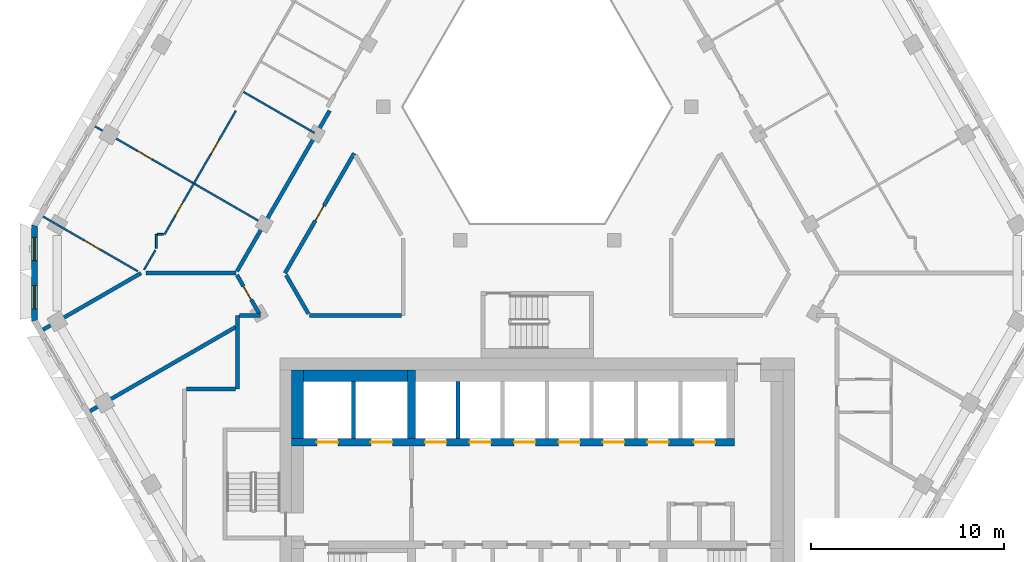
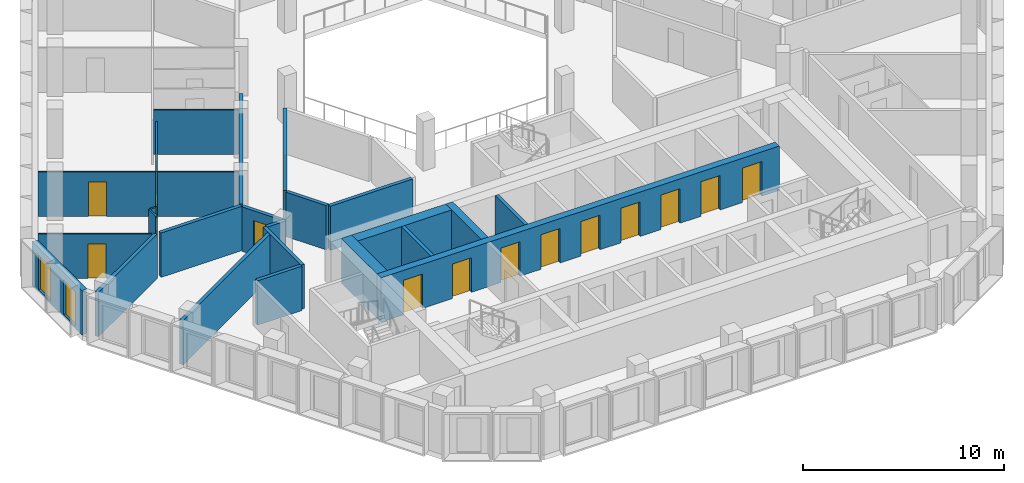
# One storey, part 4 of 17: 26 walls, 15 doors, 2 windows, 17 openings.
"""IFC4 building model written with IfcOpenShell, lengths in metres."""

from ifc_helpers import new_model, si_unit, direction, frame, frame_2d, origin, place, context, subcontext, project, spatial, polyline, rectangle, outline, extrude, material, layer, layer_set, type_object, element, fill, save


model = new_model("IFC4")

# Units and contexts
model_context = context("Model", 3, precision=1e-05, world=origin(), true_north=direction((0.0, 1.0)))
body_context = subcontext(model_context, "Body", "Model", "MODEL_VIEW")
ifc_project = project(units=[si_unit("LENGTHUNIT", "METRE"), si_unit("AREAUNIT", "SQUARE_METRE"), si_unit("VOLUMEUNIT", "CUBIC_METRE"), si_unit("PLANEANGLEUNIT", "RADIAN"), si_unit("MASSUNIT", "GRAM", prefix="KILO")], contexts=[model_context])

# Site, building, storey
site_placement = place(None, origin())
site = spatial("IfcSite", under=ifc_project, at=site_placement, CompositionType="ELEMENT")
building_placement = place(site_placement, origin())
building = spatial("IfcBuilding", under=site, at=building_placement, Name="Beryl Residences", CompositionType="ELEMENT")
storey_placement = place(building_placement, frame((0.0, 0.0, 172.199951171875)))
storey = spatial("IfcBuildingStorey", under=building, at=storey_placement, Name="L52", CompositionType="ELEMENT", Elevation=172.199951171875)

# Wall, openings, windows
ifc_material_1 = material(Name="Composite metal panel with mineral wool insulation")
ifc_layer_1 = layer(ifc_material_1, 0.300048828125)
ifc_layer_set_1 = layer_set([ifc_layer_1], Name="ES1 pale metal composite panel wall 300 mm")
wall_type_1 = type_object("IfcWallType", Name="ES1 pale metal composite panel wall 300 mm", PredefinedType="SOLIDWALL", material=ifc_layer_set_1)
wall_1_placement = place(storey_placement, frame((-26.00390625, 1.89990234375, 0.0), z_axis=(0.0, 0.0, 1.0), x_axis=(0.0, -1.0, 0.0)))
wall_1 = element("IfcWall", 1, at=wall_1_placement, inside=storey, type_object=wall_type_1, Name="ES1 external wall L52 NW-SW", PredefinedType="SOLIDWALL", context=body_context, shape_type="SweptSolid", body=[
    extrude(outline(polyline([(0.0, -0.14990234375), (5.0, -0.14990234375), (4.919677734375, 0.14990234375), (0.080322265625, 0.14990234375), (0.0, -0.14990234375)])), origin(), (0.0, 0.0, 1.0), 2.699951171875),
])
opening_1_placement = place(wall_1_placement, frame((0.64990234375, 0.0, 0.14990234375)))
opening_1 = element("IfcOpeningElement", 2, at=opening_1_placement, cuts=wall_1, Name="Opening W2", PredefinedType="OPENING", context=body_context, shape_type="SweptSolid", body=[
    extrude(rectangle(XDim=1.199951171875, YDim=2.10009765625, at=frame_2d((0.60009765625, 1.050048828125))), frame((0.0, 0.159912109375, 0.0), z_axis=(0.0, -1.0, 0.0), x_axis=(1.0, 0.0, 0.0)), (0.0, 0.0, 1.0), 0.320068359375),
])
opening_2_placement = place(wall_1_placement, frame((3.14990234375, 0.0, 0.14990234375)))
opening_2 = element("IfcOpeningElement", 3, at=opening_2_placement, cuts=wall_1, Name="Opening W2", PredefinedType="OPENING", context=body_context, shape_type="SweptSolid", body=[
    extrude(rectangle(XDim=1.199951171875, YDim=2.10009765625, at=frame_2d((0.60009765625, 1.050048828125))), frame((0.0, 0.159912109375, 0.0), z_axis=(0.0, -1.0, 0.0), x_axis=(1.0, 0.0, 0.0)), (0.0, 0.0, 1.0), 0.320068359375),
])
ifc_material_2 = material(Name="Aluminium and clear glass", Category="aluminium")
window_type = type_object("IfcWindowType", Name="W2 chamfer window 1200 x 2100 mm", PartitioningType="SINGLE_PANEL", PredefinedType="WINDOW", material=ifc_material_2)
window_1_placement = place(opening_1_placement, origin())
window_1 = element("IfcWindow", 4, at=window_1_placement, inside=storey, type_object=window_type, Name="W2 window L52 NW-SW 1", OverallHeight=2.10009765625, OverallWidth=1.199951171875, PartitioningType="SINGLE_PANEL", PredefinedType="WINDOW", context=body_context, shape_type="SweptSolid", body=[
    extrude(rectangle(XDim=1.199951171875, YDim=2.10009765625, at=frame_2d((0.60009765625, 1.050048828125))), frame((0.0, 0.030029296875, 0.0), z_axis=(0.0, -1.0, 0.0), x_axis=(1.0, 0.0, 0.0)), (0.0, 0.0, 1.0), 0.06005859375),
])
fill(opening_1, window_1)
window_2_placement = place(opening_2_placement, origin())
window_2 = element("IfcWindow", 5, at=window_2_placement, inside=storey, type_object=window_type, Name="W2 window L52 NW-SW 2", OverallHeight=2.10009765625, OverallWidth=1.199951171875, PartitioningType="SINGLE_PANEL", PredefinedType="WINDOW", context=body_context, shape_type="SweptSolid", body=[
    extrude(rectangle(XDim=1.199951171875, YDim=2.10009765625, at=frame_2d((0.60009765625, 1.050048828125))), frame((0.0, 0.030029296875, 0.0), z_axis=(0.0, -1.0, 0.0), x_axis=(1.0, 0.0, 0.0)), (0.0, 0.0, 1.0), 0.06005859375),
])
fill(opening_2, window_2)

# Wall, opening, door
ifc_material_3 = material(Name="Gypsum board partition on steel studs", Category="steel")
ifc_layer_2 = layer(ifc_material_3, 0.10009765625)
ifc_layer_set_2 = layer_set([ifc_layer_2], Name="PT1 partition 100 mm gypsum board on steel studs")
wall_type_2 = type_object("IfcWallType", Name="PT1 partition 100 mm gypsum board on steel studs", PredefinedType="PARTITIONING", material=ifc_layer_set_2)
wall_2_placement = place(storey_placement, frame((-22.8701171875, 6.987060546875, 0.0), z_axis=(0.0, 0.0, 1.0), x_axis=(0.866022959057, -0.500004234368, 0.0)))
wall_2 = element("IfcWall", 6, at=wall_2_placement, inside=storey, type_object=wall_type_2, Name="Wall PT1 L52 009", PredefinedType="PARTITIONING", context=body_context, shape_type="SweptSolid", body=[
    extrude(rectangle(XDim=10.0, YDim=0.10009765625, at=frame_2d((5.0, 0.0))), origin(), (0.0, 0.0, 1.0), 2.699951171875),
])
opening_3_placement = place(wall_2_placement, frame((2.5, 0.0, 0.0)))
opening_3 = element("IfcOpeningElement", 7, at=opening_3_placement, cuts=wall_2, Name="Opening D1412", PredefinedType="OPENING", context=body_context, shape_type="SweptSolid", body=[
    extrude(rectangle(XDim=0.89990234375, YDim=2.10009765625, at=frame_2d((0.449951171875, 1.050048828125))), frame((0.0, 0.06005859375, 0.0), z_axis=(0.0, -1.0, 0.0), x_axis=(1.0, 0.0, 0.0)), (0.0, 0.0, 1.0), 0.1201171875),
])
ifc_material_4 = material(Name="Timber door leaf", Category="wood")
door_type_1 = type_object("IfcDoorType", Name="D2 room door 900 x 2100 mm", OperationType="SINGLE_SWING_LEFT", PredefinedType="DOOR", material=ifc_material_4)
door_1_placement = place(opening_3_placement, origin())
door_1 = element("IfcDoor", 8, at=door_1_placement, inside=storey, type_object=door_type_1, Name="Door D1412 L52 001", OperationType="SINGLE_SWING_RIGHT", OverallHeight=2.10009765625, OverallWidth=0.89990234375, PredefinedType="DOOR", context=body_context, shape_type="SweptSolid", body=[
    extrude(rectangle(XDim=0.89990234375, YDim=2.10009765625, at=frame_2d((0.449951171875, 1.050048828125))), frame((0.0, 0.02490234375, 0.0), z_axis=(0.0, -1.0, 0.0), x_axis=(1.0, 0.0, 0.0)), (0.0, 0.0, 1.0), 0.050048828125),
])
fill(opening_3, door_1)

wall_3_placement = place(storey_placement, frame((-25.56201171875, 2.324951171875, 0.0), z_axis=(0.0, 0.0, 1.0), x_axis=(0.865998530728, -0.500046542611, 0.0)))
wall_3 = element("IfcWall", 9, at=wall_3_placement, inside=storey, type_object=wall_type_2, Name="Wall PT1 L52 010", PredefinedType="PARTITIONING", context=body_context, shape_type="SweptSolid", body=[
    extrude(rectangle(XDim=5.6513671875, YDim=0.10009765625, at=frame_2d((2.82568359375, 0.0))), origin(), (0.0, 0.0, 1.0), 2.699951171875),
])
opening_4_placement = place(wall_3_placement, frame((2.47607421875, 0.0, 0.0)))
opening_4 = element("IfcOpeningElement", 10, at=opening_4_placement, cuts=wall_3, Name="Opening D1415", PredefinedType="OPENING", context=body_context, shape_type="SweptSolid", body=[
    extrude(rectangle(XDim=0.89990234375, YDim=2.10009765625, at=frame_2d((0.449951171875, 1.050048828125))), frame((0.0, 0.06005859375, 0.0), z_axis=(0.0, -1.0, 0.0), x_axis=(1.0, 0.0, 0.0)), (0.0, 0.0, 1.0), 0.1201171875),
])
door_2_placement = place(opening_4_placement, origin())
door_2 = element("IfcDoor", 11, at=door_2_placement, inside=storey, type_object=door_type_1, Name="Door D1415 L52 001", OperationType="SINGLE_SWING_LEFT", OverallHeight=2.10009765625, OverallWidth=0.89990234375, PredefinedType="DOOR", context=body_context, shape_type="SweptSolid", body=[
    extrude(rectangle(XDim=0.89990234375, YDim=2.10009765625, at=frame_2d((0.449951171875, 1.050048828125))), frame((0.0, 0.02490234375, 0.0), z_axis=(0.0, -1.0, 0.0), x_axis=(1.0, 0.0, 0.0)), (0.0, 0.0, 1.0), 0.050048828125),
])
fill(opening_4, door_2)

# Walls
wall_4_placement = place(storey_placement, frame((-15.198974609375, 8.77490234375, 0.0), z_axis=(0.0, 0.0, 1.0), x_axis=(0.866043063166, -0.499969411806, 0.0)))
element("IfcWall", 12, at=wall_4_placement, inside=storey, type_object=wall_type_2, Name="Wall PT1 L52 011", PredefinedType="PARTITIONING", context=body_context, shape_type="SweptSolid", body=[
    extrude(rectangle(XDim=4.250244140625, YDim=0.10009765625, at=frame_2d((2.125, 0.0))), origin(), (0.0, 0.0, 1.0), 2.699951171875),
])
wall_5_placement = place(storey_placement, frame((-19.64990234375, 1.39990234375, 0.0), z_axis=(0.0, 0.0, 1.0), x_axis=(1.0, 0.0, 0.0)))
element("IfcWall", 13, at=wall_5_placement, inside=storey, type_object=wall_type_2, Name="Wall PT1 L52 016", PredefinedType="PARTITIONING", context=body_context, shape_type="SweptSolid", body=[
    extrude(rectangle(XDim=0.308837890625, YDim=0.10009765625, at=frame_2d((0.154296875, 0.0))), origin(), (0.0, 0.0, 1.0), 2.699951171875),
])
wall_6_placement = place(storey_placement, frame((-20.337890625, -0.427001953125, 0.0), z_axis=(0.0, 0.0, 1.0), x_axis=(0.500069990121, 0.865984991198, 0.0)))
element("IfcWall", 14, at=wall_6_placement, inside=storey, type_object=wall_type_2, Name="Wall PT1 L52 022", PredefinedType="PARTITIONING", context=body_context, shape_type="SweptSolid", body=[
    extrude(rectangle(XDim=1.175537109375, YDim=0.10009765625, at=frame_2d((0.587890625, 0.0))), origin(), (0.0, 0.0, 1.0), 2.699951171875),
])

# Wall, opening, door
wall_7_placement = place(storey_placement, frame((-19.282958984375, 1.39990234375, 0.0), z_axis=(0.0, 0.0, 1.0), x_axis=(0.499847391584, 0.866113494368, 0.0)))
wall_7 = element("IfcWall", 15, at=wall_7_placement, inside=storey, type_object=wall_type_2, Name="Wall PT1 L52 023", PredefinedType="PARTITIONING", context=body_context, shape_type="SweptSolid", body=[
    extrude(rectangle(XDim=3.044921875, YDim=0.10009765625, at=frame_2d((1.5224609375, 0.0))), origin(), (0.0, 0.0, 1.0), 2.699951171875),
])
opening_5_placement = place(wall_7_placement, frame((1.123046875, 0.0, 0.0)))
opening_5 = element("IfcOpeningElement", 16, at=opening_5_placement, cuts=wall_7, Name="Opening D1417", PredefinedType="OPENING", context=body_context, shape_type="SweptSolid", body=[
    extrude(rectangle(XDim=0.800048828125, YDim=2.10009765625, at=frame_2d((0.39990234375, 1.050048828125))), frame((0.0, 0.06005859375, 0.0), z_axis=(0.0, -1.0, 0.0), x_axis=(1.0, 0.0, 0.0)), (0.0, 0.0, 1.0), 0.1201171875),
])
ifc_material_5 = material(Name="Timber door leaf", Category="wood")
door_type_2 = type_object("IfcDoorType", Name="D3 bathroom door 800 x 2100 mm", OperationType="SINGLE_SWING_LEFT", PredefinedType="DOOR", material=ifc_material_5)
door_3_placement = place(opening_5_placement, origin())
door_3 = element("IfcDoor", 17, at=door_3_placement, inside=storey, type_object=door_type_2, Name="Door D1417 L52 001", OperationType="SINGLE_SWING_LEFT", OverallHeight=2.10009765625, OverallWidth=0.800048828125, PredefinedType="DOOR", context=body_context, shape_type="SweptSolid", body=[
    extrude(rectangle(XDim=0.800048828125, YDim=2.10009765625, at=frame_2d((0.39990234375, 1.050048828125))), frame((0.0, 0.02490234375, 0.0), z_axis=(0.0, -1.0, 0.0), x_axis=(1.0, 0.0, 0.0)), (0.0, 0.0, 1.0), 0.050048828125),
])
fill(opening_5, door_3)

# Wall
wall_8_placement = place(storey_placement, frame((-19.699951171875, 0.677978515625, 0.0), z_axis=(0.0, 0.0, 1.0), x_axis=(0.0, 1.0, 0.0)))
element("IfcWall", 18, at=wall_8_placement, inside=storey, type_object=wall_type_2, Name="Wall PT1 L52 031", PredefinedType="PARTITIONING", context=body_context, shape_type="SweptSolid", body=[
    extrude(rectangle(XDim=0.721923828125, YDim=0.10009765625, at=frame_2d((0.36083984375, 0.0))), origin(), (0.0, 0.0, 1.0), 2.699951171875),
])

# Wall, opening, door
wall_9_placement = place(storey_placement, frame((-17.760986328125, 4.037109375, 0.0), z_axis=(0.0, 0.0, 1.0), x_axis=(0.50009692756, 0.865969435399, 0.0)))
wall_9 = element("IfcWall", 19, at=wall_9_placement, inside=storey, type_object=wall_type_2, Name="Wall PT1 L52 040", PredefinedType="PARTITIONING", context=body_context, shape_type="SweptSolid", body=[
    extrude(rectangle(XDim=4.345458984375, YDim=0.10009765625, at=frame_2d((2.1728515625, 0.0))), origin(), (0.0, 0.0, 1.0), 2.699951171875),
])
opening_6_placement = place(wall_9_placement, frame((1.77197265625, 0.0, 0.0)))
opening_6 = element("IfcOpeningElement", 20, at=opening_6_placement, cuts=wall_9, Name="Opening D1414", PredefinedType="OPENING", context=body_context, shape_type="SweptSolid", body=[
    extrude(rectangle(XDim=0.800048828125, YDim=2.10009765625, at=frame_2d((0.39990234375, 1.050048828125))), frame((0.0, 0.06005859375, 0.0), z_axis=(0.0, -1.0, 0.0), x_axis=(1.0, 0.0, 0.0)), (0.0, 0.0, 1.0), 0.1201171875),
])
door_4_placement = place(opening_6_placement, origin())
door_4 = element("IfcDoor", 21, at=door_4_placement, inside=storey, type_object=door_type_2, Name="Door D1414 L52 001", OperationType="SINGLE_SWING_RIGHT", OverallHeight=2.10009765625, OverallWidth=0.800048828125, PredefinedType="DOOR", context=body_context, shape_type="SweptSolid", body=[
    extrude(rectangle(XDim=0.800048828125, YDim=2.10009765625, at=frame_2d((0.39990234375, 1.050048828125))), frame((0.0, 0.02490234375, 0.0), z_axis=(0.0, -1.0, 0.0), x_axis=(1.0, 0.0, 0.0)), (0.0, 0.0, 1.0), 0.050048828125),
])
fill(opening_6, door_4)

# Walls
ifc_material_6 = material(Name="Acoustic double stud gypsum board wall")
ifc_layer_3 = layer(ifc_material_6, 0.199951171875)
ifc_layer_set_3 = layer_set([ifc_layer_3], Name="PT3 party wall 200 mm acoustic double stud")
wall_type_3 = type_object("IfcWallType", Name="PT3 party wall 200 mm acoustic double stud", PredefinedType="PARTITIONING", material=ifc_layer_set_3)
wall_10_placement = place(storey_placement, frame((-20.238037109375, -0.60107421875, 0.0), z_axis=(0.0, 0.0, 1.0), x_axis=(1.0, 0.0, 0.0)))
element("IfcWall", 22, at=wall_10_placement, inside=storey, type_object=wall_type_3, Name="Wall PT3 L52 007", PredefinedType="PARTITIONING", context=body_context, shape_type="SweptSolid", body=[
    extrude(rectangle(XDim=4.650146484375, YDim=0.199951171875, at=frame_2d((2.3251953125, 0.0))), origin(), (0.0, 0.0, 1.0), 2.699951171875),
])
wall_11_placement = place(storey_placement, frame((-23.1298828125, -7.737060546875, 0.0), z_axis=(0.0, 0.0, 1.0), x_axis=(0.86598451299, 0.500070818246, 0.0)))
element("IfcWall", 23, at=wall_11_placement, inside=storey, type_object=wall_type_3, Name="Wall PT3 L52 013", PredefinedType="PARTITIONING", context=body_context, shape_type="SweptSolid", body=[
    extrude(rectangle(XDim=8.695068359375, YDim=0.199951171875, at=frame_2d((4.34765625, 0.0))), origin(), (0.0, 0.0, 1.0), 2.699951171875),
])
wall_12_placement = place(storey_placement, frame((-25.56298828125, -3.52392578125, 0.0), z_axis=(0.0, 0.0, 1.0), x_axis=(0.866128586522, 0.499821239653, 0.0)))
element("IfcWall", 24, at=wall_12_placement, inside=storey, type_object=wall_type_3, Name="Wall PT3 L52 014", PredefinedType="PARTITIONING", context=body_context, shape_type="SweptSolid", body=[
    extrude(rectangle(XDim=5.847900390625, YDim=0.199951171875, at=frame_2d((2.923828125, 0.0))), origin(), (0.0, 0.0, 1.0), 2.699951171875),
])
ifc_material_7 = material(Name="Double stud gypsum board wall")
ifc_layer_4 = layer(ifc_material_7, 0.199951171875)
ifc_layer_set_4 = layer_set([ifc_layer_4], Name="PT4 corridor wall 200 mm double stud")
wall_type_4 = type_object("IfcWallType", Name="PT4 corridor wall 200 mm double stud", PredefinedType="PARTITIONING", material=ifc_layer_set_4)
wall_13_placement = place(storey_placement, frame((-12.989990234375, -0.700927734375, 0.0), z_axis=(0.0, 0.0, 1.0), x_axis=(0.499972710878, -0.866041158593, 0.0)))
element("IfcWall", 25, at=wall_13_placement, inside=storey, type_object=wall_type_4, Name="Wall PT4 L52 002", PredefinedType="PARTITIONING", context=body_context, shape_type="SweptSolid", body=[
    extrude(rectangle(XDim=2.308349609375, YDim=0.199951171875, at=frame_2d((1.154296875, 0.0))), origin(), (0.0, 0.0, 1.0), 2.699951171875),
])

# Wall, opening, door
wall_14_placement = place(storey_placement, frame((-15.530029296875, -0.700927734375, 0.0), z_axis=(0.0, 0.0, 1.0), x_axis=(0.499972710878, -0.866041158593, 0.0)))
wall_14 = element("IfcWall", 26, at=wall_14_placement, inside=storey, type_object=wall_type_4, Name="Wall PT4 L52 003", PredefinedType="PARTITIONING", context=body_context, shape_type="SweptSolid", body=[
    extrude(rectangle(XDim=2.308349609375, YDim=0.199951171875, at=frame_2d((1.154296875, 0.0))), origin(), (0.0, 0.0, 1.0), 2.699951171875),
])
opening_7_placement = place(wall_14_placement, frame((0.674072265625, 0.0, 0.0)))
opening_7 = element("IfcOpeningElement", 27, at=opening_7_placement, cuts=wall_14, Name="Opening D1418", PredefinedType="OPENING", context=body_context, shape_type="SweptSolid", body=[
    extrude(rectangle(XDim=0.800048828125, YDim=2.10009765625, at=frame_2d((0.39990234375, 1.050048828125))), frame((0.0, 0.10986328125, 0.0), z_axis=(0.0, -1.0, 0.0), x_axis=(1.0, 0.0, 0.0)), (0.0, 0.0, 1.0), 0.219970703125),
])
door_5_placement = place(opening_7_placement, origin())
door_5 = element("IfcDoor", 28, at=door_5_placement, inside=storey, type_object=door_type_2, Name="Door D1418 L52 001", OperationType="SINGLE_SWING_RIGHT", OverallHeight=2.10009765625, OverallWidth=0.800048828125, PredefinedType="DOOR", context=body_context, shape_type="SweptSolid", body=[
    extrude(rectangle(XDim=0.800048828125, YDim=2.10009765625, at=frame_2d((0.39990234375, 1.050048828125))), frame((0.0, 0.02490234375, 0.0), z_axis=(0.0, -1.0, 0.0), x_axis=(1.0, 0.0, 0.0)), (0.0, 0.0, 1.0), 0.050048828125),
])
fill(opening_7, door_5)

# Walls
wall_15_placement = place(storey_placement, frame((-18.14892578125, -6.60009765625, 0.0), z_axis=(0.0, 0.0, 1.0), x_axis=(1.0, 0.0, 0.0)))
element("IfcWall", 29, at=wall_15_placement, inside=storey, type_object=wall_type_4, Name="Wall PT4 L52 008", PredefinedType="PARTITIONING", context=body_context, shape_type="SweptSolid", body=[
    extrude(rectangle(XDim=2.548828125, YDim=0.199951171875, at=frame_2d((1.2744140625, 0.0))), origin(), (0.0, 0.0, 1.0), 2.699951171875),
])
wall_16_placement = place(storey_placement, frame((-15.39892578125, -2.800048828125, 0.0), z_axis=(0.0, 0.0, 1.0), x_axis=(1.0, 0.0, 0.0)))
element("IfcWall", 30, at=wall_16_placement, inside=storey, type_object=wall_type_4, Name="Wall PT4 L52 010", PredefinedType="PARTITIONING", context=body_context, shape_type="SweptSolid", body=[
    extrude(rectangle(XDim=1.080810546875, YDim=0.199951171875, at=frame_2d((0.54052734375, 0.0))), origin(), (0.0, 0.0, 1.0), 2.699951171875),
])
wall_17_placement = place(storey_placement, frame((-11.778076171875, -2.800048828125, 0.0), z_axis=(0.0, 0.0, 1.0), x_axis=(1.0, 0.0, 0.0)))
element("IfcWall", 31, at=wall_17_placement, inside=storey, type_object=wall_type_4, Name="Wall PT4 L52 011", PredefinedType="PARTITIONING", context=body_context, shape_type="SweptSolid", body=[
    extrude(rectangle(XDim=4.75, YDim=0.199951171875, at=frame_2d((2.375, 0.0))), origin(), (0.0, 0.0, 1.0), 2.699951171875),
])

# Wall, opening, door
wall_18_placement = place(storey_placement, frame((-13.048095703125, -0.60107421875, 0.0), z_axis=(0.0, 0.0, 1.0), x_axis=(0.499982180423, 0.866035691677, 0.0)))
wall_18 = element("IfcWall", 32, at=wall_18_placement, inside=storey, type_object=wall_type_4, Name="Wall PT4 L52 019", PredefinedType="PARTITIONING", context=body_context, shape_type="SweptSolid", body=[
    extrude(rectangle(XDim=7.160400390625, YDim=0.199951171875, at=frame_2d((3.580078125, 0.0))), origin(), (0.0, 0.0, 1.0), 2.699951171875),
])
opening_8_placement = place(wall_18_placement, frame((3.1298828125, 0.0, 0.0)))
opening_8 = element("IfcOpeningElement", 33, at=opening_8_placement, cuts=wall_18, Name="Opening D1438", PredefinedType="OPENING", context=body_context, shape_type="SweptSolid", body=[
    extrude(rectangle(XDim=0.89990234375, YDim=2.10009765625, at=frame_2d((0.449951171875, 1.050048828125))), frame((0.0, 0.10986328125, 0.0), z_axis=(0.0, -1.0, 0.0), x_axis=(1.0, 0.0, 0.0)), (0.0, 0.0, 1.0), 0.219970703125),
])
door_6_placement = place(opening_8_placement, origin())
door_6 = element("IfcDoor", 34, at=door_6_placement, inside=storey, type_object=door_type_1, Name="Door D1438 L52 001", OperationType="SINGLE_SWING_RIGHT", OverallHeight=2.10009765625, OverallWidth=0.89990234375, PredefinedType="DOOR", context=body_context, shape_type="SweptSolid", body=[
    extrude(rectangle(XDim=0.89990234375, YDim=2.10009765625, at=frame_2d((0.449951171875, 1.050048828125))), frame((0.0, 0.02490234375, 0.0), z_axis=(0.0, -1.0, 0.0), x_axis=(1.0, 0.0, 0.0)), (0.0, 0.0, 1.0), 0.050048828125),
])
fill(opening_8, door_6)

# Walls
wall_19_placement = place(storey_placement, frame((-15.530029296875, -0.5009765625, 0.0), z_axis=(0.0, 0.0, 1.0), x_axis=(0.499952498232, 0.866052827206, 0.0)))
element("IfcWall", 35, at=wall_19_placement, inside=storey, type_object=wall_type_4, Name="Wall PT4 L52 020", PredefinedType="PARTITIONING", context=body_context, shape_type="SweptSolid", body=[
    extrude(rectangle(XDim=9.5849609375, YDim=0.199951171875, at=frame_2d((4.79248046875, 0.0))), origin(), (0.0, 0.0, 1.0), 2.699951171875),
])
wall_20_placement = place(storey_placement, frame((-15.5, -6.60009765625, 0.0), z_axis=(0.0, 0.0, 1.0), x_axis=(0.0, 1.0, 0.0)))
element("IfcWall", 36, at=wall_20_placement, inside=storey, type_object=wall_type_4, Name="Wall PT4 L52 025", PredefinedType="PARTITIONING", context=body_context, shape_type="SweptSolid", body=[
    extrude(rectangle(XDim=3.799072265625, YDim=0.199951171875, at=frame_2d((1.8994140625, 0.0))), origin(), (0.0, 0.0, 1.0), 2.699951171875),
])
ifc_material_8 = material(Name="Concrete C40/50", Category="concrete")
ifc_layer_5 = layer(ifc_material_8, 0.199951171875)
ifc_layer_set_5 = layer_set([ifc_layer_5], Name="PT6 lift shaft wall 200 mm reinforced concrete C40/50")
wall_type_5 = type_object("IfcWallType", Name="PT6 lift shaft wall 200 mm reinforced concrete C40/50", PredefinedType="SOLIDWALL", material=ifc_layer_set_5)
for number, where, z_axis, x_axis, name in (
    (37, (-9.5, -9.14990234375, 0.0), (0.0, 0.0, 1.0), (0.0, 1.0, 0.0), "Lift shaft wall 11"),
    (38, (-4.10009765625, -9.14990234375, 0.0), (0.0, 0.0, 1.0), (0.0, 1.0, 0.0), "Lift shaft wall 16"),
):
    element("IfcWall", number, at=place(storey_placement, frame(where, z_axis=z_axis, x_axis=x_axis)), inside=storey, type_object=wall_type_5, Name=name, PredefinedType="SOLIDWALL", context=body_context, shape_type="SweptSolid", body=[
        extrude(rectangle(XDim=2.949951171875, YDim=0.199951171875, at=frame_2d((1.47509765625, 0.0))), origin(), (0.0, 0.0, 1.0), 2.699951171875),
    ])
ifc_material_9 = material(Name="Concrete C40/50", Category="concrete")
ifc_layer_6 = layer(ifc_material_9, 0.60009765625)
ifc_layer_set_6 = layer_set([ifc_layer_6], Name="PT6-600 lift shaft wall 600 mm")
wall_type_6 = type_object("IfcWallType", Name="PT6-600 lift shaft wall 600 mm", PredefinedType="SOLIDWALL", material=ifc_layer_set_6)
wall_21_placement = place(storey_placement, frame((-12.39990234375, -9.14990234375, 0.0), z_axis=(0.0, 0.0, 1.0), x_axis=(0.0, 1.0, 0.0)))
element("IfcWall", 39, at=wall_21_placement, inside=storey, type_object=wall_type_6, Name="Lift shaft wall 07", PredefinedType="SOLIDWALL", context=body_context, shape_type="SweptSolid", body=[
    extrude(rectangle(XDim=3.5498046875, YDim=0.60009765625, at=frame_2d((1.77490234375, 0.0))), origin(), (0.0, 0.0, 1.0), 2.699951171875),
])
wall_22_placement = place(storey_placement, frame((-12.10009765625, -5.89990234375, 0.0), z_axis=(0.0, 0.0, 1.0), x_axis=(1.0, 0.0, 0.0)))
element("IfcWall", 40, at=wall_22_placement, inside=storey, type_object=wall_type_6, Name="Lift shaft wall 09", PredefinedType="SOLIDWALL", context=body_context, shape_type="SweptSolid", body=[
    extrude(rectangle(XDim=5.400146484375, YDim=0.60009765625, at=frame_2d((2.7001953125, 0.0))), origin(), (0.0, 0.0, 1.0), 2.699951171875),
])

# Wall, openings, doors
ifc_material_10 = material(Name="Concrete C50/60", Category="concrete")
ifc_layer_7 = layer(ifc_material_10, 0.39990234375)
ifc_layer_set_7 = layer_set([ifc_layer_7], Name="SW9 core internal wall 400 mm C50/60")
wall_type_7 = type_object("IfcWallType", Name="SW9 core internal wall 400 mm C50/60", PredefinedType="SHEAR", material=ifc_layer_set_7)
wall_23_placement = place(storey_placement, frame((-12.699951171875, -9.35009765625, 0.0), z_axis=(0.0, 0.0, 1.0), x_axis=(1.0, 0.0, 0.0)))
wall_23 = element("IfcWall", 41, at=wall_23_placement, inside=storey, type_object=wall_type_7, Name="Core wall SP2 L52", PredefinedType="SHEAR", context=body_context, shape_type="SweptSolid", body=[
    extrude(rectangle(XDim=22.89990234375, YDim=0.39990234375, at=frame_2d((11.449951171875, 0.0))), origin(), (0.0, 0.0, 1.0), 2.699951171875),
])
opening_9_placement = place(wall_23_placement, frame((1.300048828125, 0.0, 0.0)))
opening_9 = element("IfcOpeningElement", 42, at=opening_9_placement, cuts=wall_23, Name="Opening LD-FF1", PredefinedType="OPENING", context=body_context, shape_type="SweptSolid", body=[
    extrude(rectangle(XDim=1.10009765625, YDim=2.10009765625, at=frame_2d((0.550048828125, 1.050048828125))), frame((0.0, 0.2099609375, 0.0), z_axis=(0.0, -1.0, 0.0), x_axis=(1.0, 0.0, 0.0)), (0.0, 0.0, 1.0), 0.419921875),
])
opening_10_placement = place(wall_23_placement, frame((4.10009765625, 0.0, 0.0)))
opening_10 = element("IfcOpeningElement", 43, at=opening_10_placement, cuts=wall_23, Name="Opening LD-FF2", PredefinedType="OPENING", context=body_context, shape_type="SweptSolid", body=[
    extrude(rectangle(XDim=1.10009765625, YDim=2.10009765625, at=frame_2d((0.550048828125, 1.050048828125))), frame((0.0, 0.2099609375, 0.0), z_axis=(0.0, -1.0, 0.0), x_axis=(1.0, 0.0, 0.0)), (0.0, 0.0, 1.0), 0.419921875),
])
opening_11_placement = place(wall_23_placement, frame((6.89990234375, 0.0, 0.0)))
opening_11 = element("IfcOpeningElement", 44, at=opening_11_placement, cuts=wall_23, Name="Opening LD-HR1", PredefinedType="OPENING", context=body_context, shape_type="SweptSolid", body=[
    extrude(rectangle(XDim=1.10009765625, YDim=2.10009765625, at=frame_2d((0.550048828125, 1.050048828125))), frame((0.0, 0.2099609375, 0.0), z_axis=(0.0, -1.0, 0.0), x_axis=(1.0, 0.0, 0.0)), (0.0, 0.0, 1.0), 0.419921875),
])
opening_12_placement = place(wall_23_placement, frame((9.199951171875, 0.0, 0.0)))
opening_12 = element("IfcOpeningElement", 45, at=opening_12_placement, cuts=wall_23, Name="Opening LD-HR2", PredefinedType="OPENING", context=body_context, shape_type="SweptSolid", body=[
    extrude(rectangle(XDim=1.10009765625, YDim=2.10009765625, at=frame_2d((0.550048828125, 1.050048828125))), frame((0.0, 0.2099609375, 0.0), z_axis=(0.0, -1.0, 0.0), x_axis=(1.0, 0.0, 0.0)), (0.0, 0.0, 1.0), 0.419921875),
])
opening_13_placement = place(wall_23_placement, frame((11.5, 0.0, 0.0)))
opening_13 = element("IfcOpeningElement", 46, at=opening_13_placement, cuts=wall_23, Name="Opening LD-HR3", PredefinedType="OPENING", context=body_context, shape_type="SweptSolid", body=[
    extrude(rectangle(XDim=1.10009765625, YDim=2.10009765625, at=frame_2d((0.550048828125, 1.050048828125))), frame((0.0, 0.2099609375, 0.0), z_axis=(0.0, -1.0, 0.0), x_axis=(1.0, 0.0, 0.0)), (0.0, 0.0, 1.0), 0.419921875),
])
opening_14_placement = place(wall_23_placement, frame((13.800048828125, 0.0, 0.0)))
opening_14 = element("IfcOpeningElement", 47, at=opening_14_placement, cuts=wall_23, Name="Opening LD-HR4", PredefinedType="OPENING", context=body_context, shape_type="SweptSolid", body=[
    extrude(rectangle(XDim=1.10009765625, YDim=2.10009765625, at=frame_2d((0.550048828125, 1.050048828125))), frame((0.0, 0.2099609375, 0.0), z_axis=(0.0, -1.0, 0.0), x_axis=(1.0, 0.0, 0.0)), (0.0, 0.0, 1.0), 0.419921875),
])
opening_15_placement = place(wall_23_placement, frame((16.10009765625, 0.0, 0.0)))
opening_15 = element("IfcOpeningElement", 48, at=opening_15_placement, cuts=wall_23, Name="Opening LD-HR5", PredefinedType="OPENING", context=body_context, shape_type="SweptSolid", body=[
    extrude(rectangle(XDim=1.10009765625, YDim=2.10009765625, at=frame_2d((0.550048828125, 1.050048828125))), frame((0.0, 0.2099609375, 0.0), z_axis=(0.0, -1.0, 0.0), x_axis=(1.0, 0.0, 0.0)), (0.0, 0.0, 1.0), 0.419921875),
])
opening_16_placement = place(wall_23_placement, frame((18.39990234375, 0.0, 0.0)))
opening_16 = element("IfcOpeningElement", 49, at=opening_16_placement, cuts=wall_23, Name="Opening LD-HR6", PredefinedType="OPENING", context=body_context, shape_type="SweptSolid", body=[
    extrude(rectangle(XDim=1.10009765625, YDim=2.10009765625, at=frame_2d((0.550048828125, 1.050048828125))), frame((0.0, 0.2099609375, 0.0), z_axis=(0.0, -1.0, 0.0), x_axis=(1.0, 0.0, 0.0)), (0.0, 0.0, 1.0), 0.419921875),
])
opening_17_placement = place(wall_23_placement, frame((20.800048828125, 0.0, 0.0)))
opening_17 = element("IfcOpeningElement", 50, at=opening_17_placement, cuts=wall_23, Name="Opening LD-SL1", PredefinedType="OPENING", context=body_context, shape_type="SweptSolid", body=[
    extrude(rectangle(XDim=1.10009765625, YDim=2.10009765625, at=frame_2d((0.550048828125, 1.050048828125))), frame((0.0, 0.2099609375, 0.0), z_axis=(0.0, -1.0, 0.0), x_axis=(1.0, 0.0, 0.0)), (0.0, 0.0, 1.0), 0.419921875),
])
ifc_material_11 = material(Name="Stainless steel sliding door", Category="steel")
door_type_3 = type_object("IfcDoorType", Name="LD1 lift landing door 1100 x 2100 mm", OperationType="DOUBLE_DOOR_SLIDING", PredefinedType="DOOR", material=ifc_material_11)
door_7_placement = place(opening_9_placement, origin())
door_7 = element("IfcDoor", 51, at=door_7_placement, inside=storey, type_object=door_type_3, Name="Lift landing door FF1", OperationType="DOUBLE_DOOR_SLIDING", OverallHeight=2.10009765625, OverallWidth=1.10009765625, PredefinedType="DOOR", context=body_context, shape_type="SweptSolid", body=[
    extrude(rectangle(XDim=1.10009765625, YDim=2.10009765625, at=frame_2d((0.550048828125, 1.050048828125))), frame((0.0, 0.02490234375, 0.0), z_axis=(0.0, -1.0, 0.0), x_axis=(1.0, 0.0, 0.0)), (0.0, 0.0, 1.0), 0.050048828125),
])
fill(opening_9, door_7)
door_8_placement = place(opening_10_placement, origin())
door_8 = element("IfcDoor", 52, at=door_8_placement, inside=storey, type_object=door_type_3, Name="Lift landing door FF2", OperationType="DOUBLE_DOOR_SLIDING", OverallHeight=2.10009765625, OverallWidth=1.10009765625, PredefinedType="DOOR", context=body_context, shape_type="SweptSolid", body=[
    extrude(rectangle(XDim=1.10009765625, YDim=2.10009765625, at=frame_2d((0.550048828125, 1.050048828125))), frame((0.0, 0.02490234375, 0.0), z_axis=(0.0, -1.0, 0.0), x_axis=(1.0, 0.0, 0.0)), (0.0, 0.0, 1.0), 0.050048828125),
])
fill(opening_10, door_8)
door_9_placement = place(opening_11_placement, origin())
door_9 = element("IfcDoor", 53, at=door_9_placement, inside=storey, type_object=door_type_3, Name="Lift landing door HR1", OperationType="DOUBLE_DOOR_SLIDING", OverallHeight=2.10009765625, OverallWidth=1.10009765625, PredefinedType="DOOR", context=body_context, shape_type="SweptSolid", body=[
    extrude(rectangle(XDim=1.10009765625, YDim=2.10009765625, at=frame_2d((0.550048828125, 1.050048828125))), frame((0.0, 0.02490234375, 0.0), z_axis=(0.0, -1.0, 0.0), x_axis=(1.0, 0.0, 0.0)), (0.0, 0.0, 1.0), 0.050048828125),
])
fill(opening_11, door_9)
door_10_placement = place(opening_12_placement, origin())
door_10 = element("IfcDoor", 54, at=door_10_placement, inside=storey, type_object=door_type_3, Name="Lift landing door HR2", OperationType="DOUBLE_DOOR_SLIDING", OverallHeight=2.10009765625, OverallWidth=1.10009765625, PredefinedType="DOOR", context=body_context, shape_type="SweptSolid", body=[
    extrude(rectangle(XDim=1.10009765625, YDim=2.10009765625, at=frame_2d((0.550048828125, 1.050048828125))), frame((0.0, 0.02490234375, 0.0), z_axis=(0.0, -1.0, 0.0), x_axis=(1.0, 0.0, 0.0)), (0.0, 0.0, 1.0), 0.050048828125),
])
fill(opening_12, door_10)
door_11_placement = place(opening_13_placement, origin())
door_11 = element("IfcDoor", 55, at=door_11_placement, inside=storey, type_object=door_type_3, Name="Lift landing door HR3", OperationType="DOUBLE_DOOR_SLIDING", OverallHeight=2.10009765625, OverallWidth=1.10009765625, PredefinedType="DOOR", context=body_context, shape_type="SweptSolid", body=[
    extrude(rectangle(XDim=1.10009765625, YDim=2.10009765625, at=frame_2d((0.550048828125, 1.050048828125))), frame((0.0, 0.02490234375, 0.0), z_axis=(0.0, -1.0, 0.0), x_axis=(1.0, 0.0, 0.0)), (0.0, 0.0, 1.0), 0.050048828125),
])
fill(opening_13, door_11)
door_12_placement = place(opening_14_placement, origin())
door_12 = element("IfcDoor", 56, at=door_12_placement, inside=storey, type_object=door_type_3, Name="Lift landing door HR4", OperationType="DOUBLE_DOOR_SLIDING", OverallHeight=2.10009765625, OverallWidth=1.10009765625, PredefinedType="DOOR", context=body_context, shape_type="SweptSolid", body=[
    extrude(rectangle(XDim=1.10009765625, YDim=2.10009765625, at=frame_2d((0.550048828125, 1.050048828125))), frame((0.0, 0.02490234375, 0.0), z_axis=(0.0, -1.0, 0.0), x_axis=(1.0, 0.0, 0.0)), (0.0, 0.0, 1.0), 0.050048828125),
])
fill(opening_14, door_12)
door_13_placement = place(opening_15_placement, origin())
door_13 = element("IfcDoor", 57, at=door_13_placement, inside=storey, type_object=door_type_3, Name="Lift landing door HR5", OperationType="DOUBLE_DOOR_SLIDING", OverallHeight=2.10009765625, OverallWidth=1.10009765625, PredefinedType="DOOR", context=body_context, shape_type="SweptSolid", body=[
    extrude(rectangle(XDim=1.10009765625, YDim=2.10009765625, at=frame_2d((0.550048828125, 1.050048828125))), frame((0.0, 0.02490234375, 0.0), z_axis=(0.0, -1.0, 0.0), x_axis=(1.0, 0.0, 0.0)), (0.0, 0.0, 1.0), 0.050048828125),
])
fill(opening_15, door_13)
door_14_placement = place(opening_16_placement, origin())
door_14 = element("IfcDoor", 58, at=door_14_placement, inside=storey, type_object=door_type_3, Name="Lift landing door HR6", OperationType="DOUBLE_DOOR_SLIDING", OverallHeight=2.10009765625, OverallWidth=1.10009765625, PredefinedType="DOOR", context=body_context, shape_type="SweptSolid", body=[
    extrude(rectangle(XDim=1.10009765625, YDim=2.10009765625, at=frame_2d((0.550048828125, 1.050048828125))), frame((0.0, 0.02490234375, 0.0), z_axis=(0.0, -1.0, 0.0), x_axis=(1.0, 0.0, 0.0)), (0.0, 0.0, 1.0), 0.050048828125),
])
fill(opening_16, door_14)
door_15_placement = place(opening_17_placement, origin())
door_15 = element("IfcDoor", 59, at=door_15_placement, inside=storey, type_object=door_type_3, Name="Lift landing door SL1", OperationType="DOUBLE_DOOR_SLIDING", OverallHeight=2.10009765625, OverallWidth=1.10009765625, PredefinedType="DOOR", context=body_context, shape_type="SweptSolid", body=[
    extrude(rectangle(XDim=1.10009765625, YDim=2.10009765625, at=frame_2d((0.550048828125, 1.050048828125))), frame((0.0, 0.02490234375, 0.0), z_axis=(0.0, -1.0, 0.0), x_axis=(1.0, 0.0, 0.0)), (0.0, 0.0, 1.0), 0.050048828125),
])
fill(opening_17, door_15)

# Wall
wall_24_placement = place(storey_placement, frame((-6.5, -9.14990234375, 0.0), z_axis=(0.0, 0.0, 1.0), x_axis=(0.0, 1.0, 0.0)))
element("IfcWall", 60, at=wall_24_placement, inside=storey, type_object=wall_type_7, Name="Core wall XN1 L52", PredefinedType="SHEAR", context=body_context, shape_type="SweptSolid", body=[
    extrude(rectangle(XDim=3.5498046875, YDim=0.39990234375, at=frame_2d((1.77490234375, 0.0))), origin(), (0.0, 0.0, 1.0), 2.699951171875),
])

save(model, "model.ifc")
